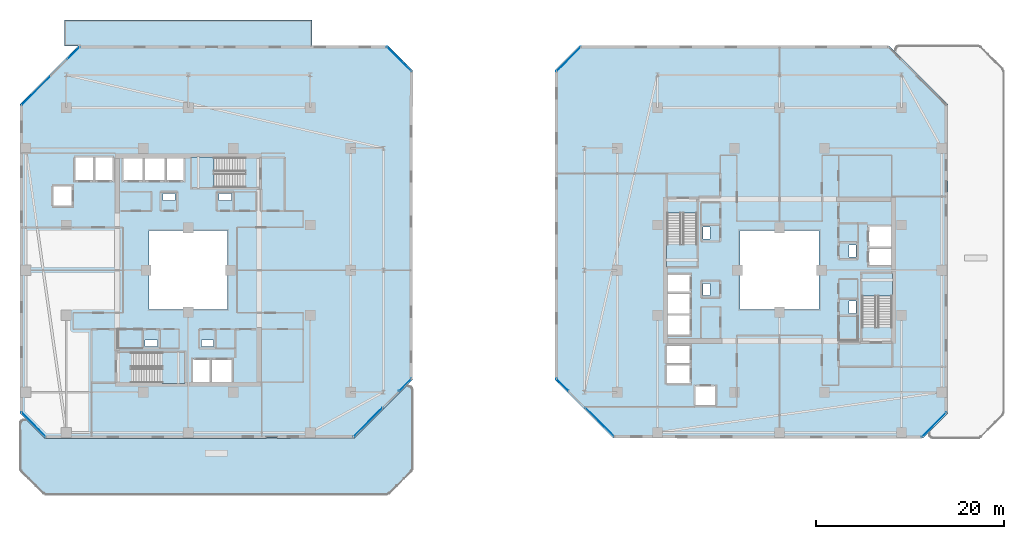
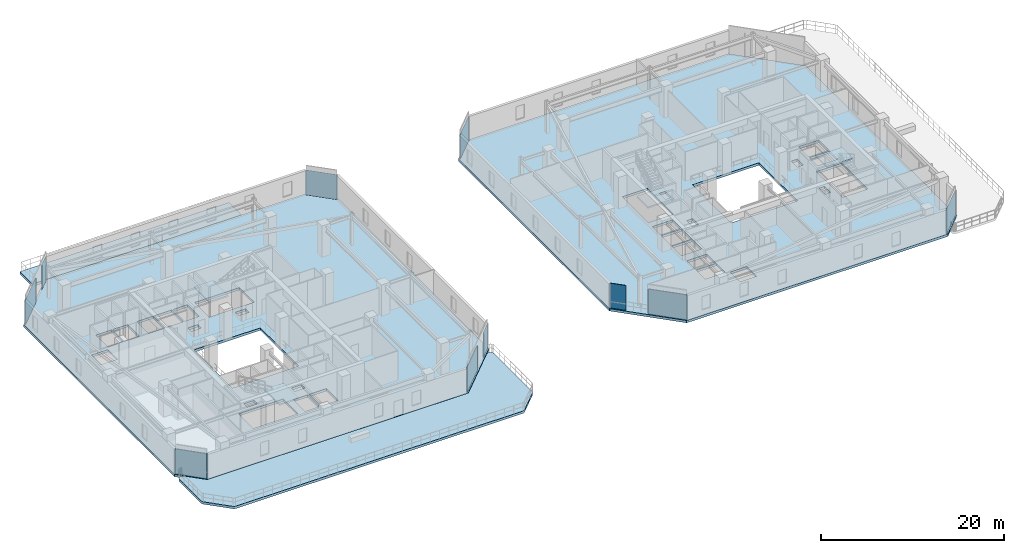
# One storey, part 18 of 33: 10 plates, 8 slabs, 14 elements without a shape of their own.
"""IFC4 building model written with IfcOpenShell, lengths in metres."""

from ifc_helpers import new_model, si_unit, direction, frame, origin, origin_2d, place, context, subcontext, project, spatial, polyline, rectangle, outline, extrude, material, layer, layer_set, type_object, element, aggregate, save


model = new_model("IFC4")

# Units and contexts
model_context = context("Model", 3, precision=1e-05, world=origin(), true_north=direction((0.0, 1.0)))
body_context = subcontext(model_context, "Body", "Model", "MODEL_VIEW")
ifc_project = project(units=[si_unit("LENGTHUNIT", "METRE"), si_unit("AREAUNIT", "SQUARE_METRE"), si_unit("VOLUMEUNIT", "CUBIC_METRE"), si_unit("PLANEANGLEUNIT", "RADIAN"), si_unit("MASSUNIT", "GRAM", prefix="KILO")], contexts=[model_context])

# Site, building, storey
site_placement = place(None, origin())
site = spatial("IfcSite", under=ifc_project, at=site_placement, CompositionType="ELEMENT")
building_placement = place(site_placement, origin())
building = spatial("IfcBuilding", under=site, at=building_placement, Name="Thornwick Lancets Civic Towers", CompositionType="ELEMENT")
storey_placement = place(building_placement, frame((0.0, 0.0, 174.300048828125)))
storey = spatial("IfcBuildingStorey", under=building, at=storey_placement, Name="L46", CompositionType="ELEMENT", Elevation=174.300048828125)

# Curtain wall, plate
ifc_material_1 = material(Name="Mid-zone chamfered-corner unitised glass curtain wall", Category="glass")
curtain_wall_type = type_object("IfcCurtainWallType", Name="CW_SYS_04", PredefinedType="NOTDEFINED", material=ifc_material_1)
curtain_wall_1_placement = place(storey_placement, origin())
curtain_wall_1 = element("IfcCurtainWall", 1, at=curtain_wall_1_placement, inside=storey, type_object=curtain_wall_type, Name="L46 Curtain Wall CW-L46-A-E1-S2", PredefinedType="NOTDEFINED")
ifc_material_2 = material(Name="Low-e double glazing clear glass", Category="glass")
ifc_layer_1 = layer(ifc_material_2, 0.035888671875, Name="Low-e double glazing clear glass")
ifc_layer_set_1 = layer_set([ifc_layer_1], Name="Low-e double glazing clear glass")
plate_type_1 = type_object("IfcPlateType", Name="CW_PNL_GLASS", PredefinedType="CURTAIN_PANEL", material=ifc_layer_set_1)
plate_1_placement = place(storey_placement, frame((48.605712890625, 14.75634765625, 0.0), z_axis=(0.0, 0.0, 1.0), x_axis=(0.707106781187, 0.707106781187, 0.0)))
plate_1 = element("IfcPlate", 2, at=plate_1_placement, type_object=plate_type_1, Name="CW-L46-A-E1-S2 Panel 0", PredefinedType="CURTAIN_PANEL", context=body_context, shape_type="SweptSolid", body=[
    extrude(rectangle(XDim=1.826416015625, YDim=0.035888671875, at=origin_2d()), origin(), (0.0, 0.0, 1.0), 3.300048828125),
])
aggregate(curtain_wall_1, [plate_1])

curtain_wall_2_placement = place(storey_placement, origin())
curtain_wall_2 = element("IfcCurtainWall", 3, at=curtain_wall_2_placement, inside=storey, type_object=curtain_wall_type, Name="L46 Curtain Wall CW-L46-A-E5-S2", PredefinedType="NOTDEFINED")
plate_2_placement = place(storey_placement, frame((9.29443359375, 46.1435546875, 0.0), z_axis=(0.0, 0.0, 1.0), x_axis=(-0.707106781187, -0.707106781187, 0.0)))
plate_2 = element("IfcPlate", 4, at=plate_2_placement, type_object=plate_type_1, Name="CW-L46-A-E5-S2 Panel 0", PredefinedType="CURTAIN_PANEL", context=body_context, shape_type="SweptSolid", body=[
    extrude(rectangle(XDim=4.3720703125, YDim=0.035888671875, at=origin_2d()), origin(), (0.0, 0.0, 1.0), 3.300048828125),
])
aggregate(curtain_wall_2, [plate_2])

curtain_wall_3_placement = place(storey_placement, origin())
curtain_wall_3 = element("IfcCurtainWall", 5, at=curtain_wall_3_placement, inside=storey, type_object=curtain_wall_type, Name="L46 Curtain Wall CW-L46-B-E7-S2", PredefinedType="NOTDEFINED")
plate_3_placement = place(storey_placement, frame((69.3564453125, 10.79443359375, 0.0), z_axis=(0.0, 0.0, 1.0), x_axis=(0.707106781187, -0.707106781187, 0.0)))
plate_3 = element("IfcPlate", 6, at=plate_3_placement, type_object=plate_type_1, Name="CW-L46-B-E7-S2 Panel 0", PredefinedType="CURTAIN_PANEL", context=body_context, shape_type="SweptSolid", body=[
    extrude(rectangle(XDim=4.3720703125, YDim=0.035888671875, at=origin_2d()), origin(), (0.0, 0.0, 1.0), 3.300048828125),
])
aggregate(curtain_wall_3, [plate_3])

curtain_wall_4_placement = place(storey_placement, origin())
curtain_wall_4 = element("IfcCurtainWall", 7, at=curtain_wall_4_placement, inside=storey, type_object=curtain_wall_type, Name="L46 Curtain Wall CW-L46-A-E1-S1", PredefinedType="NOTDEFINED")
ifc_material_3 = material(Name="Extruded buff terracotta spandrel panel", Category="masonry")
ifc_layer_2 = layer(ifc_material_3, 0.044921875, Name="Extruded buff terracotta spandrel panel")
ifc_layer_set_2 = layer_set([ifc_layer_2], Name="Extruded buff terracotta spandrel panel")
plate_type_2 = type_object("IfcPlateType", Name="CW_PNL_TERRA", PredefinedType="CURTAIN_PANEL", material=ifc_layer_set_2)
plate_4_placement = place(storey_placement, frame((44.6435546875, 10.79443359375, 0.0), z_axis=(0.0, 0.0, 1.0), x_axis=(0.707106781187, 0.707106781187, 0.0)))
plate_4 = element("IfcPlate", 8, at=plate_4_placement, type_object=plate_type_2, Name="CW-L46-A-E1-S1 Panel 0", PredefinedType="CURTAIN_PANEL", context=body_context, shape_type="SweptSolid", body=[
    extrude(rectangle(XDim=4.3720703125, YDim=0.044921875, at=origin_2d()), origin(), (0.0, 0.0, 1.0), 3.300048828125),
])
aggregate(curtain_wall_4, [plate_4])

curtain_wall_5_placement = place(storey_placement, origin())
curtain_wall_5 = element("IfcCurtainWall", 9, at=curtain_wall_5_placement, inside=storey, type_object=curtain_wall_type, Name="L46 Curtain Wall CW-L46-A-E3", PredefinedType="NOTDEFINED")
plate_5_placement = place(storey_placement, frame((47.972900390625, 49.472900390625, 0.0), z_axis=(0.0, 0.0, 1.0), x_axis=(-0.707106781187, 0.707106781187, 0.0)))
plate_5 = element("IfcPlate", 10, at=plate_5_placement, type_object=plate_type_2, Name="CW-L46-A-E3 Panel 0", PredefinedType="CURTAIN_PANEL", context=body_context, shape_type="SweptSolid", body=[
    extrude(rectangle(XDim=3.649169921875, YDim=0.044921875, at=origin_2d()), origin(), (0.0, 0.0, 1.0), 3.300048828125),
])
aggregate(curtain_wall_5, [plate_5])

curtain_wall_6_placement = place(storey_placement, origin())
curtain_wall_6 = element("IfcCurtainWall", 11, at=curtain_wall_6_placement, inside=storey, type_object=curtain_wall_type, Name="L46 Curtain Wall CW-L46-A-E5-S1", PredefinedType="NOTDEFINED")
plate_6_placement = place(storey_placement, frame((13.25634765625, 50.105712890625, 0.0), z_axis=(0.0, 0.0, 1.0), x_axis=(-0.707106781187, -0.707106781187, 0.0)))
plate_6 = element("IfcPlate", 12, at=plate_6_placement, type_object=plate_type_2, Name="CW-L46-A-E5-S1 Panel 0", PredefinedType="CURTAIN_PANEL", context=body_context, shape_type="SweptSolid", body=[
    extrude(rectangle(XDim=1.826416015625, YDim=0.044921875, at=origin_2d()), origin(), (0.0, 0.0, 1.0), 3.300048828125),
])
aggregate(curtain_wall_6, [plate_6])

curtain_wall_7_placement = place(storey_placement, origin())
curtain_wall_7 = element("IfcCurtainWall", 13, at=curtain_wall_7_placement, inside=storey, type_object=curtain_wall_type, Name="L46 Curtain Wall CW-L46-A-E7", PredefinedType="NOTDEFINED")
plate_7_placement = place(storey_placement, frame((9.027099609375, 10.527099609375, 0.0), z_axis=(0.0, 0.0, 1.0), x_axis=(0.707106781187, -0.707106781187, 0.0)))
plate_7 = element("IfcPlate", 14, at=plate_7_placement, type_object=plate_type_2, Name="CW-L46-A-E7 Panel 0", PredefinedType="CURTAIN_PANEL", context=body_context, shape_type="SweptSolid", body=[
    extrude(rectangle(XDim=3.649169921875, YDim=0.044921875, at=origin_2d()), origin(), (0.0, 0.0, 1.0), 3.300048828125),
])
aggregate(curtain_wall_7, [plate_7])

curtain_wall_8_placement = place(storey_placement, origin())
curtain_wall_8 = element("IfcCurtainWall", 15, at=curtain_wall_8_placement, inside=storey, type_object=curtain_wall_type, Name="L46 Curtain Wall CW-L46-B-E1", PredefinedType="NOTDEFINED")
plate_8_placement = place(storey_placement, frame((104.972900390625, 10.527099609375, 0.0), z_axis=(0.0, 0.0, 1.0), x_axis=(0.707106781187, 0.707106781187, 0.0)))
plate_8 = element("IfcPlate", 16, at=plate_8_placement, type_object=plate_type_2, Name="CW-L46-B-E1 Panel 0", PredefinedType="CURTAIN_PANEL", context=body_context, shape_type="SweptSolid", body=[
    extrude(rectangle(XDim=3.649169921875, YDim=0.044921875, at=origin_2d()), origin(), (0.0, 0.0, 1.0), 3.300048828125),
])
aggregate(curtain_wall_8, [plate_8])

curtain_wall_9_placement = place(storey_placement, origin())
curtain_wall_9 = element("IfcCurtainWall", 17, at=curtain_wall_9_placement, inside=storey, type_object=curtain_wall_type, Name="L46 Curtain Wall CW-L46-B-E5", PredefinedType="NOTDEFINED")
plate_9_placement = place(storey_placement, frame((66.027099609375, 49.472900390625, 0.0), z_axis=(0.0, 0.0, 1.0), x_axis=(-0.707106781187, -0.707106781187, 0.0)))
plate_9 = element("IfcPlate", 18, at=plate_9_placement, type_object=plate_type_2, Name="CW-L46-B-E5 Panel 0", PredefinedType="CURTAIN_PANEL", context=body_context, shape_type="SweptSolid", body=[
    extrude(rectangle(XDim=3.649169921875, YDim=0.044921875, at=origin_2d()), origin(), (0.0, 0.0, 1.0), 3.300048828125),
])
aggregate(curtain_wall_9, [plate_9])

curtain_wall_10_placement = place(storey_placement, origin())
curtain_wall_10 = element("IfcCurtainWall", 19, at=curtain_wall_10_placement, inside=storey, type_object=curtain_wall_type, Name="L46 Curtain Wall CW-L46-B-E7-S1", PredefinedType="NOTDEFINED")
plate_10_placement = place(storey_placement, frame((65.394287109375, 14.75634765625, 0.0), z_axis=(0.0, 0.0, 1.0), x_axis=(0.707106781187, -0.707106781187, 0.0)))
plate_10 = element("IfcPlate", 20, at=plate_10_placement, type_object=plate_type_2, Name="CW-L46-B-E7-S1 Panel 0", PredefinedType="CURTAIN_PANEL", context=body_context, shape_type="SweptSolid", body=[
    extrude(rectangle(XDim=1.826416015625, YDim=0.044921875, at=origin_2d()), origin(), (0.0, 0.0, 1.0), 3.300048828125),
])
aggregate(curtain_wall_10, [plate_10])

# Stair, slab
ifc_material_4 = material(Name="Concrete C40/50", Category="concrete")
stair_type = type_object("IfcStairType", Name="STAIR_DL_4200", PredefinedType="HALF_TURN_STAIR", material=ifc_material_4)
stair_1_placement = place(storey_placement, origin())
stair_1 = element("IfcStair", 21, at=stair_1_placement, inside=storey, type_object=stair_type, Name="L46 Tower A South Exit Stair ST-A1", PredefinedType="HALF_TURN_STAIR")
ifc_layer_3 = layer(ifc_material_4, 0.25, Name="Concrete C40/50")
ifc_layer_set_3 = layer_set([ifc_layer_3], Name="Concrete C40/50")
slab_type_1 = type_object("IfcSlabType", Name="SLAB_LANDING_200", PredefinedType="LANDING", material=ifc_layer_set_3)
slab_1_placement = place(storey_placement, frame((0.0, 0.0, 1.90283203125)))
slab_1 = element("IfcSlab", 22, at=slab_1_placement, type_object=slab_type_1, Name="ST-A1 landing 1", PredefinedType="LANDING", context=body_context, shape_type="SweptSolid", body=[
    extrude(outline(polyline([(22.72998046875, 14.93994140625), (25.14990234375, 14.93994140625), (25.14990234375, 18.260009765625), (22.72998046875, 18.260009765625), (22.72998046875, 14.93994140625)])), origin(), (0.0, 0.0, 1.0), 0.2001953125),
])
aggregate(stair_1, [slab_1])

stair_2_placement = place(storey_placement, origin())
stair_2 = element("IfcStair", 23, at=stair_2_placement, inside=storey, type_object=stair_type, Name="L46 Tower A North Exit Stair ST-A2", PredefinedType="HALF_TURN_STAIR")
slab_2_placement = place(storey_placement, frame((0.0, 0.0, 1.90283203125)))
slab_2 = element("IfcSlab", 24, at=slab_2_placement, type_object=slab_type_1, Name="ST-A2 landing 1", PredefinedType="LANDING", context=body_context, shape_type="SweptSolid", body=[
    extrude(outline(polyline([(28.27001953125, 39.06005859375), (25.85009765625, 39.06005859375), (25.85009765625, 35.739990234375), (28.27001953125, 35.739990234375), (28.27001953125, 39.06005859375)])), origin(), (0.0, 0.0, 1.0), 0.2001953125),
])
aggregate(stair_2, [slab_2])

stair_3_placement = place(storey_placement, origin())
stair_3 = element("IfcStair", 25, at=stair_3_placement, inside=storey, type_object=stair_type, Name="L46 Tower B East Exit Stair ST-B1", PredefinedType="HALF_TURN_STAIR")
slab_3_placement = place(storey_placement, frame((0.0, 0.0, 1.90283203125)))
slab_3 = element("IfcSlab", 26, at=slab_3_placement, type_object=slab_type_1, Name="ST-B1 landing 1", PredefinedType="LANDING", context=body_context, shape_type="SweptSolid", body=[
    extrude(outline(polyline([(100.56005859375, 24.22998046875), (100.56005859375, 26.64990234375), (97.239990234375, 26.64990234375), (97.239990234375, 24.22998046875), (100.56005859375, 24.22998046875)])), origin(), (0.0, 0.0, 1.0), 0.2001953125),
])
aggregate(stair_3, [slab_3])

stair_4_placement = place(storey_placement, origin())
stair_4 = element("IfcStair", 27, at=stair_4_placement, inside=storey, type_object=stair_type, Name="L46 Tower B West Exit Stair ST-B2", PredefinedType="HALF_TURN_STAIR")
slab_4_placement = place(storey_placement, frame((0.0, 0.0, 1.90283203125)))
slab_4 = element("IfcSlab", 28, at=slab_4_placement, type_object=slab_type_1, Name="ST-B2 landing 1", PredefinedType="LANDING", context=body_context, shape_type="SweptSolid", body=[
    extrude(outline(polyline([(76.43994140625, 29.77001953125), (76.43994140625, 27.35009765625), (79.760009765625, 27.35009765625), (79.760009765625, 29.77001953125), (76.43994140625, 29.77001953125)])), origin(), (0.0, 0.0, 1.0), 0.2001953125),
])
aggregate(stair_4, [slab_4])

# Slabs
ifc_material_5 = material(Name="Waterproof post-tensioned concrete C40/50", Category="concrete")
ifc_layer_4 = layer(ifc_material_5, 0.35009765625, Name="Waterproof post-tensioned concrete C40/50")
ifc_layer_set_4 = layer_set([ifc_layer_4], Name="Waterproof post-tensioned concrete C40/50")
slab_type_2 = type_object("IfcSlabType", Name="SLAB_POOL_350", PredefinedType="FLOOR", material=ifc_layer_set_4)
slab_5_placement = place(storey_placement, frame((0.0, 0.0, -0.35009765625)))
element("IfcSlab", 29, at=slab_5_placement, inside=storey, type_object=slab_type_2, Name="L46 Cantilevered Sky Pool Basin Slab", PredefinedType="FLOOR", context=body_context, shape_type="SweptSolid", body=[
    extrude(outline(polyline([(12.300048828125, 50.89990234375), (38.699951171875, 50.89990234375), (38.699951171875, 53.64990234375), (12.300048828125, 53.64990234375), (12.300048828125, 50.89990234375)])), origin(), (0.0, 0.0, 1.0), 0.35009765625),
])
ifc_material_6 = material(Name="Post-tensioned concrete C40/50", Category="concrete")
ifc_layer_5 = layer(ifc_material_6, 0.320068359375, Name="Post-tensioned concrete C40/50")
ifc_layer_set_5 = layer_set([ifc_layer_5], Name="Post-tensioned concrete C40/50")
slab_type_3 = type_object("IfcSlabType", Name="SLAB_PT_320", PredefinedType="FLOOR", material=ifc_layer_set_5)
slab_6_placement = place(storey_placement, frame((0.0, 0.0, -0.320068359375)))
element("IfcSlab", 30, at=slab_6_placement, inside=storey, type_object=slab_type_3, Name="L46 Tower A Floor Slab", PredefinedType="FLOOR", context=body_context, shape_type="SweptSolid", body=[
    extrude(outline(polyline([(10.199951171875, 9.10009765625), (43.199951171875, 9.10009765625), (49.39990234375, 15.300048828125), (49.39990234375, 48.300048828125), (46.800048828125, 50.89990234375), (13.800048828125, 50.89990234375), (7.60009765625, 44.699951171875), (7.60009765625, 11.699951171875), (10.199951171875, 9.10009765625)]), holes=[polyline([(21.300048828125, 22.800048828125), (29.699951171875, 22.800048828125), (29.699951171875, 31.199951171875), (21.300048828125, 31.199951171875), (21.300048828125, 22.800048828125)]), polyline([(19.429931640625, 15.0), (25.10009765625, 15.0), (25.10009765625, 18.199951171875), (19.429931640625, 18.199951171875), (19.429931640625, 15.0)]), polyline([(31.570068359375, 39.0), (25.89990234375, 39.0), (25.89990234375, 35.800048828125), (31.570068359375, 35.800048828125), (31.570068359375, 39.0)]), polyline([(26.0, 15.0), (27.800048828125, 15.0), (27.800048828125, 17.550048828125), (26.0, 17.550048828125), (26.0, 15.0)]), polyline([(28.0, 15.0), (30.14990234375, 15.0), (30.14990234375, 17.550048828125), (28.0, 17.550048828125), (28.0, 15.0)]), polyline([(23.199951171875, 36.449951171875), (25.0, 36.449951171875), (25.0, 39.0), (23.199951171875, 39.0), (23.199951171875, 36.449951171875)]), polyline([(20.85009765625, 36.449951171875), (23.0, 36.449951171875), (23.0, 39.0), (20.85009765625, 39.0), (20.85009765625, 36.449951171875)]), polyline([(18.60009765625, 36.449951171875), (20.699951171875, 36.449951171875), (20.699951171875, 39.0), (18.60009765625, 39.0), (18.60009765625, 36.449951171875)]), polyline([(15.550048828125, 36.449951171875), (17.449951171875, 36.449951171875), (17.449951171875, 39.0), (15.550048828125, 39.0), (15.550048828125, 36.449951171875)]), polyline([(13.449951171875, 36.449951171875), (15.39990234375, 36.449951171875), (15.39990234375, 39.0), (13.449951171875, 39.0), (13.449951171875, 36.449951171875)]), polyline([(11.10009765625, 33.85009765625), (13.199951171875, 33.85009765625), (13.199951171875, 35.949951171875), (11.10009765625, 35.949951171875), (11.10009765625, 33.85009765625)]), polyline([(26.89990234375, 18.85009765625), (28.199951171875, 18.85009765625), (28.199951171875, 19.580078125), (26.89990234375, 19.580078125), (26.89990234375, 18.85009765625)]), polyline([(20.89990234375, 18.85009765625), (22.199951171875, 18.85009765625), (22.199951171875, 19.580078125), (20.89990234375, 19.580078125), (20.89990234375, 18.85009765625)]), polyline([(22.800048828125, 34.419921875), (24.10009765625, 34.419921875), (24.10009765625, 35.14990234375), (22.800048828125, 35.14990234375), (22.800048828125, 34.419921875)]), polyline([(28.800048828125, 34.419921875), (30.10009765625, 34.419921875), (30.10009765625, 35.14990234375), (28.800048828125, 35.14990234375), (28.800048828125, 34.419921875)])]), origin(), (0.0, 0.0, 1.0), 0.320068359375),
])
slab_7_placement = place(storey_placement, frame((0.0, 0.0, -0.320068359375)))
element("IfcSlab", 31, at=slab_7_placement, inside=storey, type_object=slab_type_3, Name="L46 Tower A Cantilevered Block Sky-Garden Terrace 1", PredefinedType="FLOOR", context=body_context, shape_type="SweptSolid", body=[
    extrude(outline(polyline([(49.397705078125, 5.84228515625), (49.391357421875, 5.798583984375), (49.380615234375, 5.755859375), (49.36572265625, 5.714111328125), (49.346923828125, 5.67431640625), (49.32421875, 5.636474609375), (49.2978515625, 5.600830078125), (49.268310546875, 5.568115234375), (46.931884765625, 3.231689453125), (46.899169921875, 3.2021484375), (46.863525390625, 3.17578125), (46.82568359375, 3.153076171875), (46.785888671875, 3.13427734375), (46.744140625, 3.119384765625), (46.701416015625, 3.108642578125), (46.65771484375, 3.102294921875), (46.613525390625, 3.10009765625), (10.386474609375, 3.10009765625), (10.34228515625, 3.102294921875), (10.298583984375, 3.108642578125), (10.255859375, 3.119384765625), (10.214111328125, 3.13427734375), (10.17431640625, 3.153076171875), (10.136474609375, 3.17578125), (10.100830078125, 3.2021484375), (10.068115234375, 3.231689453125), (7.731689453125, 5.568115234375), (7.7021484375, 5.600830078125), (7.67578125, 5.636474609375), (7.653076171875, 5.67431640625), (7.63427734375, 5.714111328125), (7.619384765625, 5.755859375), (7.608642578125, 5.798583984375), (7.602294921875, 5.84228515625), (7.60009765625, 5.886474609375), (7.60009765625, 10.585205078125), (7.602294921875, 10.62939453125), (7.608642578125, 10.673095703125), (7.619384765625, 10.7158203125), (7.63427734375, 10.757568359375), (7.653076171875, 10.79736328125), (7.67578125, 10.835205078125), (7.7021484375, 10.870849609375), (7.731689453125, 10.903564453125), (7.764404296875, 10.93310546875), (7.800048828125, 10.95947265625), (7.837890625, 10.982177734375), (7.877685546875, 11.001220703125), (7.91943359375, 11.015869140625), (7.962158203125, 11.026611328125), (8.005859375, 11.033203125), (8.050048828125, 11.035400390625), (8.093994140625, 11.033203125), (8.1376953125, 11.026611328125), (8.1806640625, 11.015869140625), (8.22216796875, 11.001220703125), (8.26220703125, 10.982177734375), (8.300048828125, 10.95947265625), (8.33544921875, 10.93310546875), (8.3681640625, 10.903564453125), (10.181884765625, 9.08984375), (10.185791015625, 9.0859375), (10.187255859375, 9.08447265625), (10.18896484375, 9.08349609375), (10.190673828125, 9.08251953125), (10.1923828125, 9.08154296875), (10.194091796875, 9.080810546875), (10.196044921875, 9.080322265625), (10.197998046875, 9.080078125), (10.199951171875, 9.080078125), (10.2060546875, 9.080078125), (43.194580078125, 9.080078125), (43.199951171875, 9.080078125), (43.201904296875, 9.080078125), (43.203857421875, 9.080322265625), (43.205810546875, 9.080810546875), (43.207763671875, 9.08154296875), (43.20947265625, 9.08251953125), (43.211181640625, 9.08349609375), (43.212646484375, 9.08447265625), (43.214111328125, 9.0859375), (48.6318359375, 14.50341796875), (48.66455078125, 14.533203125), (48.699951171875, 14.5595703125), (48.73779296875, 14.582275390625), (48.77783203125, 14.60107421875), (48.8193359375, 14.615966796875), (48.8623046875, 14.626708984375), (48.906005859375, 14.63330078125), (48.949951171875, 14.63525390625), (48.994140625, 14.63330078125), (49.037841796875, 14.626708984375), (49.08056640625, 14.615966796875), (49.122314453125, 14.60107421875), (49.162109375, 14.582275390625), (49.199951171875, 14.5595703125), (49.235595703125, 14.533203125), (49.268310546875, 14.50341796875), (49.2978515625, 14.470703125), (49.32421875, 14.435302734375), (49.346923828125, 14.3974609375), (49.36572265625, 14.357421875), (49.380615234375, 14.31591796875), (49.391357421875, 14.273193359375), (49.397705078125, 14.2294921875), (49.39990234375, 14.185302734375), (49.39990234375, 5.886474609375), (49.397705078125, 5.84228515625)])), origin(), (0.0, 0.0, 1.0), 0.320068359375),
])
slab_8_placement = place(storey_placement, frame((0.0, 0.0, -0.320068359375)))
element("IfcSlab", 32, at=slab_8_placement, inside=storey, type_object=slab_type_3, Name="L46 Tower B Floor Slab", PredefinedType="FLOOR", context=body_context, shape_type="SweptSolid", body=[
    extrude(outline(polyline([(70.800048828125, 9.10009765625), (103.800048828125, 9.10009765625), (106.39990234375, 11.699951171875), (106.39990234375, 44.699951171875), (100.199951171875, 50.89990234375), (67.199951171875, 50.89990234375), (64.60009765625, 48.300048828125), (64.60009765625, 15.300048828125), (70.800048828125, 9.10009765625)]), holes=[polyline([(84.300048828125, 22.800048828125), (92.699951171875, 22.800048828125), (92.699951171875, 31.199951171875), (84.300048828125, 31.199951171875), (84.300048828125, 22.800048828125)]), polyline([(100.5, 20.929931640625), (100.5, 26.60009765625), (97.300048828125, 26.60009765625), (97.300048828125, 20.929931640625), (100.5, 20.929931640625)]), polyline([(76.5, 33.070068359375), (76.5, 27.39990234375), (79.699951171875, 27.39990234375), (79.699951171875, 33.070068359375), (76.5, 33.070068359375)]), polyline([(97.949951171875, 27.5), (100.5, 27.5), (100.5, 29.300048828125), (97.949951171875, 29.300048828125), (97.949951171875, 27.5)]), polyline([(97.949951171875, 29.5), (100.5, 29.5), (100.5, 31.64990234375), (97.949951171875, 31.64990234375), (97.949951171875, 29.5)]), polyline([(76.5, 24.699951171875), (79.050048828125, 24.699951171875), (79.050048828125, 26.5), (76.5, 26.5), (76.5, 24.699951171875)]), polyline([(76.5, 22.35009765625), (79.050048828125, 22.35009765625), (79.050048828125, 24.5), (76.5, 24.5), (76.5, 22.35009765625)]), polyline([(76.5, 20.10009765625), (79.050048828125, 20.10009765625), (79.050048828125, 22.199951171875), (76.5, 22.199951171875), (76.5, 20.10009765625)]), polyline([(76.5, 17.050048828125), (79.050048828125, 17.050048828125), (79.050048828125, 18.949951171875), (76.5, 18.949951171875), (76.5, 17.050048828125)]), polyline([(76.5, 14.949951171875), (79.050048828125, 14.949951171875), (79.050048828125, 16.89990234375), (76.5, 16.89990234375), (76.5, 14.949951171875)]), polyline([(79.550048828125, 12.60009765625), (81.64990234375, 12.60009765625), (81.64990234375, 14.699951171875), (79.550048828125, 14.699951171875), (79.550048828125, 12.60009765625)]), polyline([(95.919921875, 28.39990234375), (96.64990234375, 28.39990234375), (96.64990234375, 29.699951171875), (95.919921875, 29.699951171875), (95.919921875, 28.39990234375)]), polyline([(95.919921875, 22.39990234375), (96.64990234375, 22.39990234375), (96.64990234375, 23.699951171875), (95.919921875, 23.699951171875), (95.919921875, 22.39990234375)]), polyline([(80.35009765625, 24.300048828125), (81.080078125, 24.300048828125), (81.080078125, 25.60009765625), (80.35009765625, 25.60009765625), (80.35009765625, 24.300048828125)]), polyline([(80.35009765625, 30.300048828125), (81.080078125, 30.300048828125), (81.080078125, 31.60009765625), (80.35009765625, 31.60009765625), (80.35009765625, 30.300048828125)])]), origin(), (0.0, 0.0, 1.0), 0.320068359375),
])

save(model, "model.ifc")
